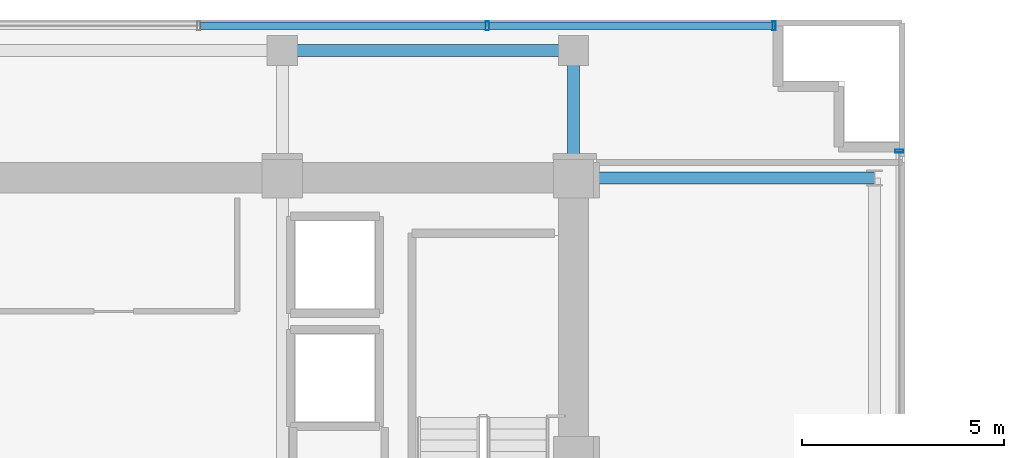
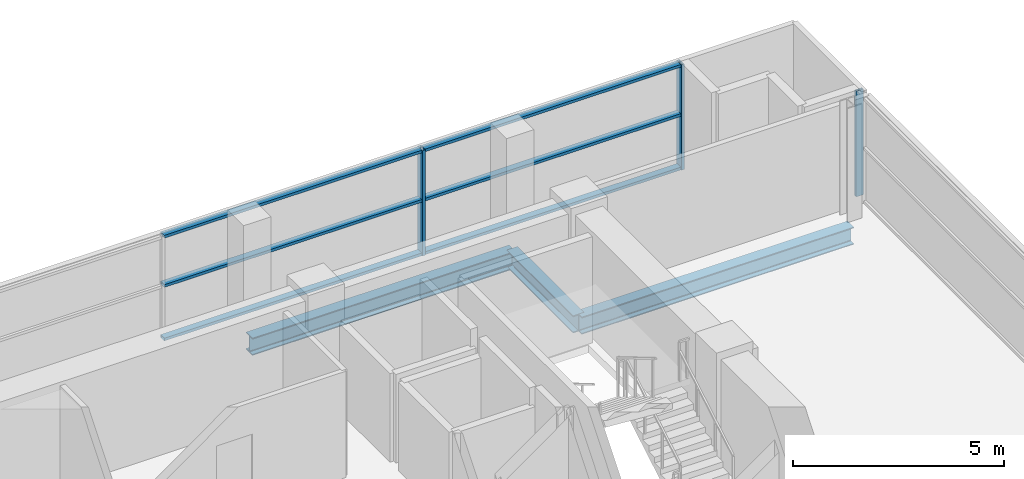
# One storey, part 16 of 25: 9 members, 3 beams, 2 elements without a shape of their own.
"""IFC4 building model written with IfcOpenShell, lengths in metres."""

import ifcopenshell
import ifcopenshell.guid

model = None  # the IFC model being written
_history = None  # IfcOwnerHistory: only IFC2X3 demands one
_inside = {}  # id of a spatial element -> (the spatial element, [elements in it])
_under = {}  # id of a project, library or spatial element -> (it, [spatial elements below it])
_declared = {}  # id of a project -> (the project, [libraries it declares])
_typed = {}  # id of a type object -> (the type object, [elements of that type])
_made_of = {}  # id of a material, layer set ... -> (it, [elements and type objects made of it])


def new_model(schema):
    """Start an empty IFC model of exactly this schema.

    Asked for "IFC4X3", IfcOpenShell would pick the latest addendum, in which some entities
    have other attributes; the version numbers below select the first issue.
    IFC2X3 requires an IfcOwnerHistory on every rooted entity: one is made here for all.
    """
    global model, _history
    if schema == "IFC4X3":
        model = ifcopenshell.file(schema_version=(4, 3, 0, 0))
    else:
        model = ifcopenshell.file(schema=schema)
    _inside.clear()
    _under.clear()
    _declared.clear()
    _typed.clear()
    _made_of.clear()
    _history = None
    if model.schema == "IFC2X3":
        org = make("IfcOrganization", Name="unknown")
        user = make(
            "IfcPersonAndOrganization",
            ThePerson=make("IfcPerson", FamilyName="unknown"),
            TheOrganization=org,
        )
        app = make(
            "IfcApplication",
            ApplicationDeveloper=org,
            Version="unknown",
            ApplicationFullName="unknown",
            ApplicationIdentifier="unknown",
        )
        _history = make(
            "IfcOwnerHistory",
            OwningUser=user,
            OwningApplication=app,
            ChangeAction="ADDED",
            CreationDate=0,
        )
    return model


def make(cls, **values):
    """One entity of the class cls with the attributes given. An attribute that is None is left unset."""
    return model.create_entity(
        cls, **{name: value for name, value in values.items() if value is not None}
    )


def rooted(cls, **values):
    """An entity with a GlobalId (a new one), such as an element, a storey or a relation."""
    return make(cls, GlobalId=ifcopenshell.guid.new(), OwnerHistory=_history, **values)


def si_unit(unit_type, name, prefix=None):
    """IfcSIUnit, for example si_unit("LENGTHUNIT", "METRE", prefix="MILLI")."""
    return make("IfcSIUnit", UnitType=unit_type, Prefix=prefix, Name=name)


def assignment(units):
    """IfcUnitAssignment: the units of a project."""
    return None if units is None else make("IfcUnitAssignment", Units=units)


def point(xyz):
    """IfcCartesianPoint."""
    return None if xyz is None else make("IfcCartesianPoint", Coordinates=xyz)


def direction(xyz):
    """IfcDirection."""
    return None if xyz is None else make("IfcDirection", DirectionRatios=xyz)


def frame(location, z_axis=None, x_axis=None):
    """IfcAxis2Placement3D, a coordinate frame: its origin and axes. An axis left out is left unset."""
    return make(
        "IfcAxis2Placement3D",
        Location=point(location),
        Axis=direction(z_axis),
        RefDirection=direction(x_axis),
    )


def frame_2d(location, x_axis=None):
    """IfcAxis2Placement2D, a coordinate frame in the plane: its origin and x axis."""
    return make(
        "IfcAxis2Placement2D", Location=point(location), RefDirection=direction(x_axis)
    )


def origin():
    """The frame at (0, 0, 0) with its axes left unset."""
    return frame((0.0, 0.0, 0.0))


def origin_2d():
    """The frame at (0, 0) in the plane with its x axis left unset."""
    return frame_2d((0.0, 0.0))


def place(relative_to, where):
    """IfcLocalPlacement: puts the frame where relative to a parent placement (None: the world)."""
    return make(
        "IfcLocalPlacement", PlacementRelTo=relative_to, RelativePlacement=where
    )


def context(
    kind, dimensions, precision=None, world=None, true_north=None, identifier=None
):
    """IfcGeometricRepresentationContext, for example the 3D "Model" context."""
    return make(
        "IfcGeometricRepresentationContext",
        ContextIdentifier=identifier,
        ContextType=kind,
        CoordinateSpaceDimension=dimensions,
        Precision=precision,
        WorldCoordinateSystem=world,
        TrueNorth=true_north,
    )


def subcontext(parent, identifier, kind, view, scale=None):
    """IfcGeometricRepresentationSubContext, for example "Body" below "Model"."""
    return make(
        "IfcGeometricRepresentationSubContext",
        ContextIdentifier=identifier,
        ContextType=kind,
        ParentContext=parent,
        TargetScale=scale,
        TargetView=view,
    )


def project(units=None, contexts=None):
    """IfcProject with its units and contexts."""
    return rooted(
        "IfcProject",
        Name="project",
        RepresentationContexts=contexts,
        UnitsInContext=assignment(units),
    )


def spatial(cls, under=None, at=None, **own):
    """A site, building, storey or space (cls), placed at a placement, below another one or the project."""
    s = rooted(cls, ObjectPlacement=at, **own)
    if under is not None:
        _under.setdefault(under.id(), (under, []))[1].append(s)
    return s


def profile(cls, at=None, kind="AREA", **sizes):
    """A parametric profile (cls). Its sizes go by their IFC names, for example OverallWidth=200.0."""
    return make(cls, ProfileType=kind, Position=at, **sizes)


def hollow_rectangle(**sizes):
    """IfcRectangleHollowProfileDef."""
    return profile("IfcRectangleHollowProfileDef", **sizes)


def i_section(**sizes):
    """IfcIShapeProfileDef."""
    return profile("IfcIShapeProfileDef", **sizes)


def extrude(swept, where, along, depth):
    """IfcExtrudedAreaSolid: the profile swept, set in the frame where, extruded along a direction by depth."""
    return make(
        "IfcExtrudedAreaSolid",
        SweptArea=swept,
        Position=where,
        ExtrudedDirection=direction(along),
        Depth=depth,
    )


def shape(context_of_items, identifier, shape_type, items):
    """IfcShapeRepresentation: the items that make up one representation, for example the "Body"."""
    return make(
        "IfcShapeRepresentation",
        ContextOfItems=context_of_items,
        RepresentationIdentifier=identifier,
        RepresentationType=shape_type,
        Items=items,
    )


def source(mapping_origin, context_of_items, identifier, shape_type, items):
    """IfcRepresentationMap: a shape defined once, which mapped items show again and again."""
    return make(
        "IfcRepresentationMap",
        MappingOrigin=mapping_origin,
        MappedRepresentation=shape(context_of_items, identifier, shape_type, items),
    )


def transform(
    local_origin,
    x_axis=None,
    y_axis=None,
    z_axis=None,
    scale=None,
    scale2=None,
    scale3=None,
    uniform=True,
):
    """IfcCartesianTransformationOperator3D, or its non-uniform kind. x_axis, y_axis, z_axis: its Axis1, 2, 3."""
    if uniform:
        return make(
            "IfcCartesianTransformationOperator3D",
            Axis1=direction(x_axis),
            Axis2=direction(y_axis),
            LocalOrigin=point(local_origin),
            Scale=scale,
            Axis3=direction(z_axis),
        )
    return make(
        "IfcCartesianTransformationOperator3DnonUniform",
        Axis1=direction(x_axis),
        Axis2=direction(y_axis),
        LocalOrigin=point(local_origin),
        Scale=scale,
        Axis3=direction(z_axis),
        Scale2=scale2,
        Scale3=scale3,
    )


def mapped(mapping_source, mapping_target):
    """IfcMappedItem: shows the shape of a source again, moved by a transform."""
    return make(
        "IfcMappedItem", MappingSource=mapping_source, MappingTarget=mapping_target
    )


def material(Name=None, Category=None):
    """IfcMaterial."""
    return make("IfcMaterial", Name=Name, Category=Category)


def layer(
    of_material, thickness, ventilated=None, Name=None, Category=None, Priority=None
):
    """IfcMaterialLayer: one layer of a wall or slab, of a material (None: an air gap)."""
    return make(
        "IfcMaterialLayer",
        Material=of_material,
        LayerThickness=thickness,
        IsVentilated=ventilated,
        Name=Name,
        Category=Category,
        Priority=Priority,
    )


def layer_set(layers, Name=None):
    """IfcMaterialLayerSet."""
    return make("IfcMaterialLayerSet", MaterialLayers=layers, LayerSetName=Name)


def material_profile(
    of_material, cross_section, Name=None, Category=None, Priority=None
):
    """IfcMaterialProfile: a cross section and its material."""
    return make(
        "IfcMaterialProfile",
        Name=Name,
        Material=of_material,
        Profile=cross_section,
        Priority=Priority,
        Category=Category,
    )


def profile_set(profiles, Name=None, composite=None):
    """IfcMaterialProfileSet."""
    return make(
        "IfcMaterialProfileSet",
        Name=Name,
        MaterialProfiles=profiles,
        CompositeProfile=composite,
    )


def made_of(thing, what):
    """Note that an element or type object is made of a material, layer set ...; save() writes the relation."""
    if what is not None:
        _made_of.setdefault(what.id(), (what, []))[1].append(thing)
    return thing


def type_object(cls, material=None, **own):
    """A type object (cls), such as IfcWallType, which elements share."""
    return made_of(rooted(cls, **own), material)


def element(
    cls,
    number,
    at=None,
    inside=None,
    cuts=None,
    type_object=None,
    material=None,
    context=None,
    identifier="Body",
    shape_type=None,
    held_by="IfcProductDefinitionShape",
    body=None,
    shapes=None,
    **own,
):
    """One element of the class cls, such as IfcWall. Its Tag is "e" and its number.

    at: its placement. inside: the storey or other place that contains it. cuts: it is an
    opening in that element (IfcRelVoidsElement). A single representation is given by context,
    identifier, shape_type and body (its items); several are given by shapes. held_by: the class
    of the entity that holds the representations. save() writes the other relations.
    """
    e = rooted(cls, Tag="e%d" % number, ObjectPlacement=at, **own)
    if body is not None:
        shapes = [shape(context, identifier, shape_type, body)]
    if shapes is not None:
        e.Representation = make(held_by, Representations=shapes)
    if inside is not None:
        _inside.setdefault(inside.id(), (inside, []))[1].append(e)
    if cuts is not None:
        rooted(
            "IfcRelVoidsElement", RelatingBuildingElement=cuts, RelatedOpeningElement=e
        )
    if type_object is not None:
        _typed.setdefault(type_object.id(), (type_object, []))[1].append(e)
    return made_of(e, material)


def aggregate(whole, parts):
    """IfcRelAggregates: a whole, such as a stair, and the parts it consists of."""
    return rooted("IfcRelAggregates", RelatingObject=whole, RelatedObjects=parts)


def save(model, path):
    """Write the relations noted so far, then the file.

    IfcRelAggregates (storeys below a building ...), IfcRelContainedInSpatialStructure (elements
    in a storey), IfcRelDefinesByType, IfcRelAssociatesMaterial and IfcRelDeclares: one each for
    every whole, place, type object, material and project.
    """
    for whole, parts in _under.values():
        aggregate(whole, parts)
    for where, things in _inside.values():
        rooted(
            "IfcRelContainedInSpatialStructure",
            RelatedElements=things,
            RelatingStructure=where,
        )
    for kind, things in _typed.values():
        rooted("IfcRelDefinesByType", RelatedObjects=things, RelatingType=kind)
    for what, things in _made_of.values():
        rooted("IfcRelAssociatesMaterial", RelatedObjects=things, RelatingMaterial=what)
    for by, libraries in _declared.values():
        rooted("IfcRelDeclares", RelatingContext=by, RelatedDefinitions=libraries)
    model.write(path)


model = new_model("IFC4")

# Units and contexts
model_context = context("Model", 3, precision=1e-05, world=origin(), true_north=direction((0.0, 1.0)))
body_context = subcontext(model_context, "Body", "Model", "MODEL_VIEW")
ifc_project = project(units=[si_unit("LENGTHUNIT", "METRE"), si_unit("AREAUNIT", "SQUARE_METRE"), si_unit("VOLUMEUNIT", "CUBIC_METRE"), si_unit("PLANEANGLEUNIT", "RADIAN"), si_unit("MASSUNIT", "GRAM", prefix="KILO")], contexts=[model_context])

# Site, building, storey
site_placement = place(None, origin())
site = spatial("IfcSite", under=ifc_project, at=site_placement, CompositionType="ELEMENT")
building_placement = place(site_placement, origin())
building = spatial("IfcBuilding", under=site, at=building_placement, Name="Zarnakvel Exchange Tower", CompositionType="ELEMENT")
storey_placement = place(building_placement, frame((0.0, 0.0, 156.10009765625)))
storey = spatial("IfcBuildingStorey", under=building, at=storey_placement, Name="L43", CompositionType="ELEMENT", Elevation=156.10009765625)

# Beams
ifc_material_1 = material(Name="Steel S355", Category="steel")
ifc_material_profile_1 = material_profile(ifc_material_1, i_section(OverallWidth=0.300048828125, OverallDepth=0.5, WebThickness=0.014404296875, FlangeThickness=0.028076171875, FilletRadius=0.027099609375, at=origin_2d()))
ifc_profile_set_1 = profile_set([ifc_material_profile_1], Name="Steel S355")
beam_type_1 = type_object("IfcBeamType", Name="G-06", PredefinedType="BEAM", material=ifc_profile_set_1)
beam_1_placement = place(storey_placement, frame((14.39990234375, 13.5, -0.47509765625), z_axis=(1.0, 0.0, 0.0), x_axis=(0.0, 1.0, 0.0)))
element("IfcBeam", 1, at=beam_1_placement, inside=storey, type_object=beam_type_1, Name="L43 Tower E-W Frame Beam", PredefinedType="BEAM", context=body_context, shape_type="SweptSolid", body=[
    extrude(i_section(OverallWidth=0.300048828125, OverallDepth=0.5, WebThickness=0.014404296875, FlangeThickness=0.028076171875, FilletRadius=0.027099609375, at=origin_2d()), origin(), (0.0, 0.0, 1.0), 7.4501953125),
])
beam_2_placement = place(storey_placement, frame((14.39990234375, 13.5, -0.47509765625), z_axis=(0.0, 1.0, 0.0), x_axis=(-1.0, 0.0, 0.0)))
element("IfcBeam", 2, at=beam_2_placement, inside=storey, type_object=beam_type_1, Name="L43 Tower N-S Frame Beam", PredefinedType="BEAM", context=body_context, shape_type="SweptSolid", body=[
    extrude(i_section(OverallWidth=0.300048828125, OverallDepth=0.5, WebThickness=0.014404296875, FlangeThickness=0.028076171875, FilletRadius=0.027099609375, at=origin_2d()), origin(), (0.0, 0.0, 1.0), 3.14990234375),
])
ifc_material_profile_2 = material_profile(ifc_material_1, i_section(OverallWidth=0.300048828125, OverallDepth=0.5, WebThickness=0.014404296875, FlangeThickness=0.028076171875, FilletRadius=0.027099609375, at=origin_2d()))
ifc_profile_set_2 = profile_set([ifc_material_profile_2], Name="Steel S355")
beam_type_2 = type_object("IfcBeamType", Name="SP-02", PredefinedType="SPANDREL", material=ifc_profile_set_2)
beam_3_placement = place(storey_placement, frame((7.199951171875, 16.64990234375, -0.47509765625), z_axis=(1.0, 0.0, 0.0), x_axis=(0.0, 1.0, 0.0)))
element("IfcBeam", 3, at=beam_3_placement, inside=storey, type_object=beam_type_2, Name="L43 Tower E-W Frame Beam", PredefinedType="SPANDREL", context=body_context, shape_type="SweptSolid", body=[
    extrude(i_section(OverallWidth=0.300048828125, OverallDepth=0.5, WebThickness=0.014404296875, FlangeThickness=0.028076171875, FilletRadius=0.027099609375, at=origin_2d()), origin(), (0.0, 0.0, 1.0), 7.199951171875),
])

# Curtain wall, member
ifc_material_2 = material(Name="Architectural Bronze Anodised Aluminium", Category="aluminium")
ifc_layer_1 = layer(ifc_material_2, 0.199951171875)
ifc_layer_set_1 = layer_set([ifc_layer_1], Name="Architectural Bronze Anodised Aluminium")
curtain_wall_type_1 = type_object("IfcCurtainWallType", Name="CW-04", PredefinedType="NOTDEFINED", material=ifc_layer_set_1)
curtain_wall_1_placement = place(storey_placement, origin())
curtain_wall_1 = element("IfcCurtainWall", 4, at=curtain_wall_1_placement, inside=storey, type_object=curtain_wall_type_1, Name="L43 Curtain Wall CW-L43-EN (CW-04)", PredefinedType="NOTDEFINED")
ifc_material_profile_3 = material_profile(ifc_material_2, hollow_rectangle(XDim=0.199951171875, YDim=0.074951171875, WallThickness=0.0048828125, at=origin_2d()))
ifc_profile_set_3 = profile_set([ifc_material_profile_3], Name="Architectural Bronze Anodised Aluminium")
member_type_1 = type_object("IfcMemberType", Name="CWM-04", PredefinedType="MULLION", material=ifc_profile_set_3)
shared_shape_1 = source(origin(), body_context, "Body", "SweptSolid", [
    extrude(hollow_rectangle(XDim=0.199951171875, YDim=0.074951171875, WallThickness=0.0048828125, at=origin_2d()), origin(), (0.0, 0.0, 1.0), 3.054931640625),
])
member_1_placement = place(storey_placement, frame((22.4599609375, 14.16259765625, 0.0), z_axis=(0.0, 0.0, 1.0), x_axis=(-1.0, 0.0, 0.0)))
member_1 = element("IfcMember", 5, at=member_1_placement, type_object=member_type_1, Name="CW-04 mullion 3", PredefinedType="MULLION", context=body_context, shape_type="MappedRepresentation", body=[
    mapped(shared_shape_1, transform((0.0, 0.0, 0.0), x_axis=(1.0, 0.0, 0.0), y_axis=(0.0, 1.0, 0.0), z_axis=(0.0, 0.0, 1.0), scale=1.0)),
])
aggregate(curtain_wall_1, [member_1])

# Curtain wall, members
ifc_layer_2 = layer(ifc_material_2, 0.219970703125)
ifc_layer_set_2 = layer_set([ifc_layer_2], Name="Architectural Bronze Anodised Aluminium")
curtain_wall_type_2 = type_object("IfcCurtainWallType", Name="CW-03", PredefinedType="NOTDEFINED", material=ifc_layer_set_2)
curtain_wall_2_placement = place(storey_placement, origin())
curtain_wall_2 = element("IfcCurtainWall", 6, at=curtain_wall_2_placement, inside=storey, type_object=curtain_wall_type_2, Name="L43 Curtain Wall CW-L43-N1 (CW-03)", PredefinedType="NOTDEFINED")
ifc_material_profile_4 = material_profile(ifc_material_2, hollow_rectangle(XDim=0.219970703125, YDim=0.080078125, WallThickness=0.0048828125, at=origin_2d()))
ifc_profile_set_4 = profile_set([ifc_material_profile_4], Name="Architectural Bronze Anodised Aluminium")
member_type_2 = type_object("IfcMemberType", Name="CWM-03", PredefinedType="MULLION", material=ifc_profile_set_4)
shared_shape_2 = source(origin(), body_context, "Body", "SweptSolid", [
    extrude(hollow_rectangle(XDim=0.219970703125, YDim=0.080078125, WallThickness=0.0048828125, at=origin_2d()), origin(), (0.0, 0.0, 1.0), 3.054931640625),
])
member_2_placement = place(storey_placement, frame((12.2666015625, 17.260009765625, 0.0), z_axis=(0.0, 0.0, 1.0), x_axis=(0.0, 1.0, 0.0)))
member_2 = element("IfcMember", 7, at=member_2_placement, type_object=member_type_2, Name="CW-03 mullion 6", PredefinedType="MULLION", context=body_context, shape_type="MappedRepresentation", body=[
    mapped(shared_shape_2, transform((0.0, 0.0, 0.0), x_axis=(1.0, 0.0, 0.0), y_axis=(0.0, 1.0, 0.0), z_axis=(0.0, 0.0, 1.0), scale=1.0)),
])
member_3_placement = place(storey_placement, frame((19.360107421875, 17.260009765625, 0.0), z_axis=(0.0, 0.0, 1.0), x_axis=(0.0, 1.0, 0.0)))
member_3 = element("IfcMember", 8, at=member_3_placement, type_object=member_type_2, Name="CW-03 mullion 7", PredefinedType="MULLION", context=body_context, shape_type="MappedRepresentation", body=[
    mapped(shared_shape_2, transform((0.0, 0.0, 0.0), x_axis=(1.0, 0.0, 0.0), y_axis=(0.0, 1.0, 0.0), z_axis=(0.0, 0.0, 1.0), scale=1.0)),
])
ifc_material_profile_5 = material_profile(ifc_material_2, hollow_rectangle(XDim=0.179931640625, YDim=0.080078125, WallThickness=0.00390625, at=origin_2d()))
ifc_profile_set_5 = profile_set([ifc_material_profile_5], Name="Architectural Bronze Anodised Aluminium")
member_type_3 = type_object("IfcMemberType", Name="CWT-03", PredefinedType="USERDEFINED", material=ifc_profile_set_5)
shared_shape_3 = source(origin(), body_context, "Body", "SweptSolid", [
    extrude(hollow_rectangle(XDim=0.179931640625, YDim=0.080078125, WallThickness=0.00390625, at=origin_2d()), origin(), (0.0, 0.0, 1.0), 7.013427734375),
])
member_4_placement = place(storey_placement, frame((12.306640625, 17.260009765625, 0.039794921875), z_axis=(1.0, 0.0, 0.0), x_axis=(0.0, 1.0, 0.0)))
member_4 = element("IfcMember", 9, at=member_4_placement, type_object=member_type_3, Name="CW-03 transom 6.1", ObjectType="TRANSOM", PredefinedType="USERDEFINED", context=body_context, shape_type="MappedRepresentation", body=[
    mapped(shared_shape_3, transform((0.0, 0.0, 0.0), x_axis=(1.0, 0.0, 0.0), y_axis=(0.0, 1.0, 0.0), z_axis=(0.0, 0.0, 1.0), scale=1.0)),
])
member_5_placement = place(storey_placement, frame((12.306640625, 17.260009765625, 1.588623046875), z_axis=(1.0, 0.0, 0.0), x_axis=(0.0, 1.0, 0.0)))
member_5 = element("IfcMember", 10, at=member_5_placement, type_object=member_type_3, Name="CW-03 transom 6.2", ObjectType="TRANSOM", PredefinedType="USERDEFINED", context=body_context, shape_type="MappedRepresentation", body=[
    mapped(shared_shape_3, transform((0.0, 0.0, 0.0), x_axis=(1.0, 0.0, 0.0), y_axis=(0.0, 1.0, 0.0), z_axis=(0.0, 0.0, 1.0), scale=1.0)),
])
member_6_placement = place(storey_placement, frame((12.306640625, 17.260009765625, 3.014892578125), z_axis=(1.0, 0.0, 0.0), x_axis=(0.0, 1.0, 0.0)))
member_6 = element("IfcMember", 11, at=member_6_placement, type_object=member_type_3, Name="CW-03 transom 6.3", ObjectType="TRANSOM", PredefinedType="USERDEFINED", context=body_context, shape_type="MappedRepresentation", body=[
    mapped(shared_shape_3, transform((0.0, 0.0, 0.0), x_axis=(1.0, 0.0, 0.0), y_axis=(0.0, 1.0, 0.0), z_axis=(0.0, 0.0, 1.0), scale=1.0)),
])
shared_shape_4 = source(origin(), body_context, "Body", "SweptSolid", [
    extrude(hollow_rectangle(XDim=0.179931640625, YDim=0.080078125, WallThickness=0.00390625, at=origin_2d()), origin(), (0.0, 0.0, 1.0), 7.05322265625),
])
member_7_placement = place(storey_placement, frame((5.17333984375, 17.260009765625, 0.039794921875), z_axis=(1.0, 0.0, 0.0), x_axis=(0.0, 1.0, 0.0)))
member_7 = element("IfcMember", 12, at=member_7_placement, type_object=member_type_3, Name="CW-03 transom 5.1", ObjectType="TRANSOM", PredefinedType="USERDEFINED", context=body_context, shape_type="MappedRepresentation", body=[
    mapped(shared_shape_4, transform((0.0, 0.0, 0.0), x_axis=(1.0, 0.0, 0.0), y_axis=(0.0, 1.0, 0.0), z_axis=(0.0, 0.0, 1.0), scale=1.0)),
])
member_8_placement = place(storey_placement, frame((5.17333984375, 17.260009765625, 1.588623046875), z_axis=(1.0, 0.0, 0.0), x_axis=(0.0, 1.0, 0.0)))
member_8 = element("IfcMember", 13, at=member_8_placement, type_object=member_type_3, Name="CW-03 transom 5.2", ObjectType="TRANSOM", PredefinedType="USERDEFINED", context=body_context, shape_type="MappedRepresentation", body=[
    mapped(shared_shape_4, transform((0.0, 0.0, 0.0), x_axis=(1.0, 0.0, 0.0), y_axis=(0.0, 1.0, 0.0), z_axis=(0.0, 0.0, 1.0), scale=1.0)),
])
member_9_placement = place(storey_placement, frame((5.17333984375, 17.260009765625, 3.014892578125), z_axis=(1.0, 0.0, 0.0), x_axis=(0.0, 1.0, 0.0)))
member_9 = element("IfcMember", 14, at=member_9_placement, type_object=member_type_3, Name="CW-03 transom 5.3", ObjectType="TRANSOM", PredefinedType="USERDEFINED", context=body_context, shape_type="MappedRepresentation", body=[
    mapped(shared_shape_4, transform((0.0, 0.0, 0.0), x_axis=(1.0, 0.0, 0.0), y_axis=(0.0, 1.0, 0.0), z_axis=(0.0, 0.0, 1.0), scale=1.0)),
])
aggregate(curtain_wall_2, [member_2, member_3, member_7, member_8, member_9, member_4, member_5, member_6])

save(model, "model.ifc")
